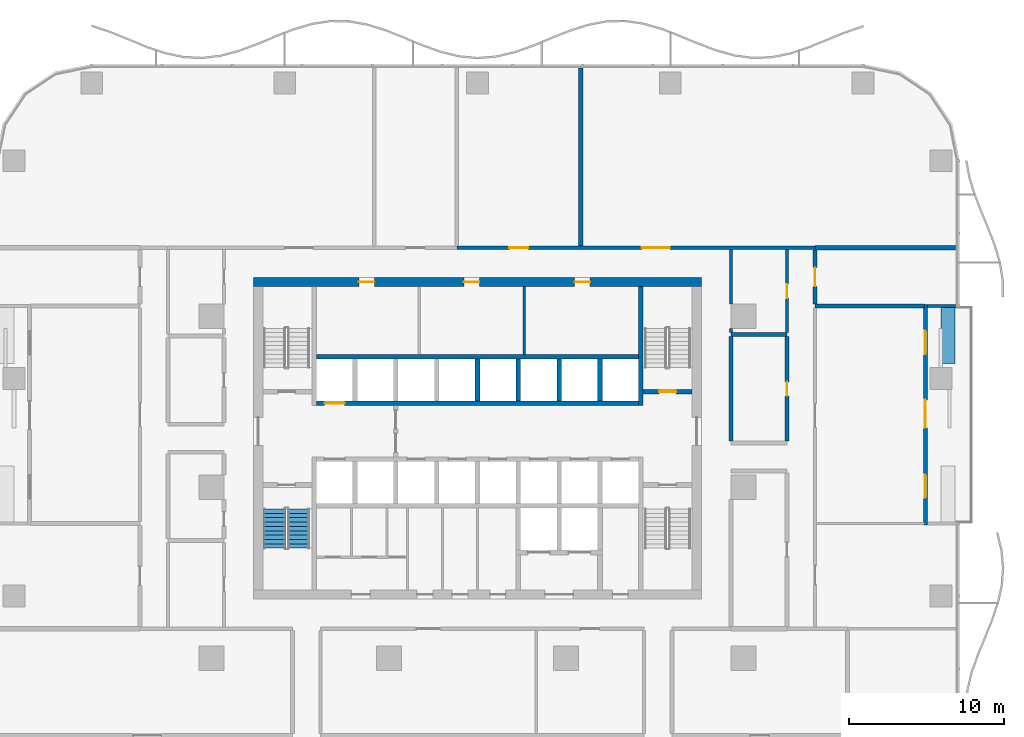
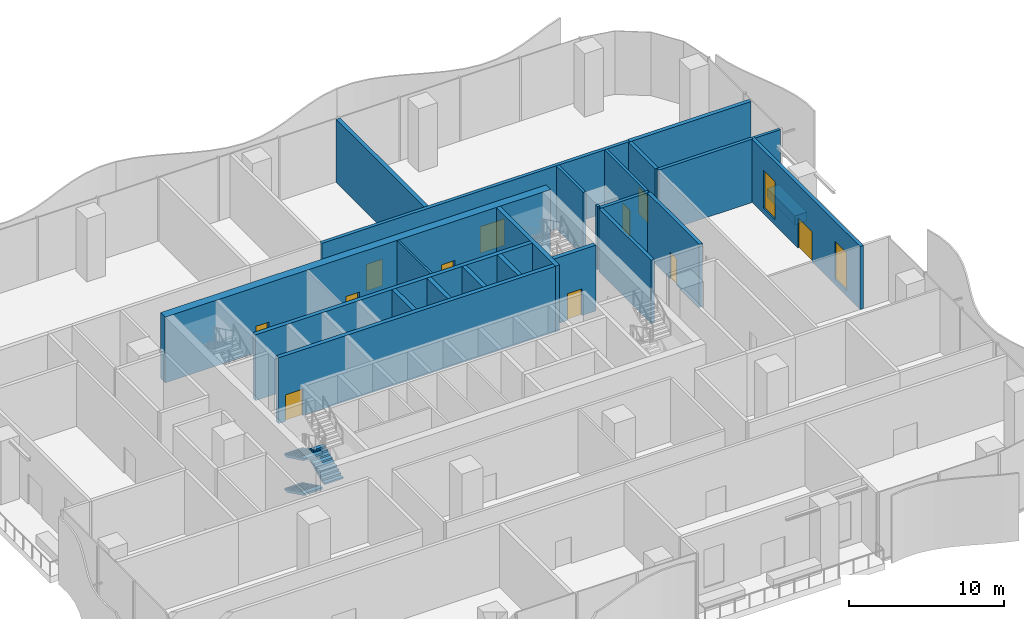
# One storey, part 11 of 21: 24 walls, 11 doors, 3 stair flights, 2 windows, 13 openings, 1 element without a shape of its own.
"""IFC4 building model written with IfcOpenShell, lengths in metres."""

from ifc_helpers import new_model, si_unit, direction, frame, frame_2d, origin, place, context, subcontext, project, spatial, polyline, rectangle, outline, extrude, material, layer, layer_set, type_object, element, fill, aggregate, save


model = new_model("IFC4")

# Units and contexts
model_context = context("Model", 3, precision=1e-05, world=origin(), true_north=direction((0.0, 1.0)))
body_context = subcontext(model_context, "Body", "Model", "MODEL_VIEW")
ifc_project = project(units=[si_unit("LENGTHUNIT", "METRE"), si_unit("AREAUNIT", "SQUARE_METRE"), si_unit("VOLUMEUNIT", "CUBIC_METRE"), si_unit("PLANEANGLEUNIT", "RADIAN"), si_unit("MASSUNIT", "GRAM", prefix="KILO")], contexts=[model_context])

# Site, building, storey
site_placement = place(None, origin())
site = spatial("IfcSite", under=ifc_project, at=site_placement, CompositionType="ELEMENT")
building_placement = place(site_placement, origin())
building = spatial("IfcBuilding", under=site, at=building_placement, Name="Mopane Tessera Tower", CompositionType="ELEMENT")
storey_placement = place(building_placement, frame((0.0, 0.0, 20.0)))
storey = spatial("IfcBuildingStorey", under=building, at=storey_placement, Name="L03", CompositionType="ELEMENT", Elevation=20.0)

# Wall
ifc_material_1 = material(Name="Fire-rated gypsum board partition")
ifc_layer_1 = layer(ifc_material_1, 0.14990234375)
ifc_layer_set_1 = layer_set([ifc_layer_1], Name="Fire-rated gypsum board partition")
wall_type_1 = type_object("IfcWallType", Name="Core room partition 150 mm", PredefinedType="PARTITIONING", material=ifc_layer_set_1)
wall_1_placement = place(storey_placement, frame((3.0, 8.550048828125, 0.0), z_axis=(0.0, 0.0, 1.0), x_axis=(0.0, 1.0, 0.0)))
element("IfcWall", 1, at=wall_1_placement, inside=storey, type_object=wall_type_1, Name="L03 Room partition", PredefinedType="PARTITIONING", context=body_context, shape_type="SweptSolid", body=[
    extrude(rectangle(XDim=4.349853515625, YDim=0.14990234375, at=frame_2d((2.1748046875, 0.0))), origin(), (0.0, 0.0, 1.0), 5.199951171875),
])

# Wall, openings, doors
ifc_material_2 = material(Name="Concrete C70/85", Category="concrete")
ifc_layer_2 = layer(ifc_material_2, 0.60009765625)
ifc_layer_set_2 = layer_set([ifc_layer_2], Name="Concrete C70/85")
wall_type_2 = type_object("IfcWallType", Name="Core shear wall 600 mm", PredefinedType="SHEAR", material=ifc_layer_set_2)
wall_2_placement = place(storey_placement, frame((-14.39990234375, 13.199951171875, 0.0), z_axis=(0.0, 0.0, 1.0), x_axis=(1.0, 0.0, 0.0)))
wall_2 = element("IfcWall", 2, at=wall_2_placement, inside=storey, type_object=wall_type_2, Name="L03 Core wall north", PredefinedType="SHEAR", context=body_context, shape_type="SweptSolid", body=[
    extrude(rectangle(XDim=28.7998046875, YDim=0.60009765625, at=frame_2d((14.39990234375, 0.0))), origin(), (0.0, 0.0, 1.0), 5.199951171875),
])
opening_1_placement = place(wall_2_placement, frame((6.77490234375, 0.0, 0.0)))
opening_1 = element("IfcOpeningElement", 3, at=opening_1_placement, cuts=wall_2, Name="Opening RD1", PredefinedType="OPENING", context=body_context, shape_type="SweptSolid", body=[
    extrude(rectangle(XDim=1.0, YDim=2.10009765625, at=frame_2d((0.5, 1.050048828125))), frame((0.0, 0.31201171875, 0.0), z_axis=(0.0, -1.0, 0.0), x_axis=(1.0, 0.0, 0.0)), (0.0, 0.0, 1.0), 0.6240234375),
])
opening_2_placement = place(wall_2_placement, frame((13.52490234375, 0.0, 0.0)))
opening_2 = element("IfcOpeningElement", 4, at=opening_2_placement, cuts=wall_2, Name="Opening RD1", PredefinedType="OPENING", context=body_context, shape_type="SweptSolid", body=[
    extrude(rectangle(XDim=1.0, YDim=2.10009765625, at=frame_2d((0.5, 1.050048828125))), frame((0.0, 0.31201171875, 0.0), z_axis=(0.0, -1.0, 0.0), x_axis=(1.0, 0.0, 0.0)), (0.0, 0.0, 1.0), 0.6240234375),
])
opening_3_placement = place(wall_2_placement, frame((20.64990234375, 0.0, 0.0)))
opening_3 = element("IfcOpeningElement", 5, at=opening_3_placement, cuts=wall_2, Name="Opening RD1", PredefinedType="OPENING", context=body_context, shape_type="SweptSolid", body=[
    extrude(rectangle(XDim=1.0, YDim=2.10009765625, at=frame_2d((0.5, 1.050048828125))), frame((0.0, 0.31201171875, 0.0), z_axis=(0.0, -1.0, 0.0), x_axis=(1.0, 0.0, 0.0)), (0.0, 0.0, 1.0), 0.6240234375),
])
ifc_material_3 = material(Name="Timber door", Category="wood")
door_type_1 = type_object("IfcDoorType", Name="Core room door 1000 x 2100", OperationType="SINGLE_SWING_LEFT", PredefinedType="DOOR", material=ifc_material_3)
door_1_placement = place(opening_1_placement, origin())
door_1 = element("IfcDoor", 6, at=door_1_placement, inside=storey, type_object=door_type_1, Name="L03 Room door", OperationType="SINGLE_SWING_LEFT", OverallHeight=2.10009765625, OverallWidth=1.0, PredefinedType="DOOR", context=body_context, shape_type="SweptSolid", body=[
    extrude(rectangle(XDim=1.0, YDim=2.10009765625, at=frame_2d((0.5, 1.050048828125))), frame((0.0, 0.02490234375, 0.0), z_axis=(0.0, -1.0, 0.0), x_axis=(1.0, 0.0, 0.0)), (0.0, 0.0, 1.0), 0.050048828125),
])
fill(opening_1, door_1)
door_2_placement = place(opening_2_placement, origin())
door_2 = element("IfcDoor", 7, at=door_2_placement, inside=storey, type_object=door_type_1, Name="L03 Room door", OperationType="SINGLE_SWING_LEFT", OverallHeight=2.10009765625, OverallWidth=1.0, PredefinedType="DOOR", context=body_context, shape_type="SweptSolid", body=[
    extrude(rectangle(XDim=1.0, YDim=2.10009765625, at=frame_2d((0.5, 1.050048828125))), frame((0.0, 0.02490234375, 0.0), z_axis=(0.0, -1.0, 0.0), x_axis=(1.0, 0.0, 0.0)), (0.0, 0.0, 1.0), 0.050048828125),
])
fill(opening_2, door_2)
door_3_placement = place(opening_3_placement, origin())
door_3 = element("IfcDoor", 8, at=door_3_placement, inside=storey, type_object=door_type_1, Name="L03 Room door", OperationType="SINGLE_SWING_LEFT", OverallHeight=2.10009765625, OverallWidth=1.0, PredefinedType="DOOR", context=body_context, shape_type="SweptSolid", body=[
    extrude(rectangle(XDim=1.0, YDim=2.10009765625, at=frame_2d((0.5, 1.050048828125))), frame((0.0, 0.02490234375, 0.0), z_axis=(0.0, -1.0, 0.0), x_axis=(1.0, 0.0, 0.0)), (0.0, 0.0, 1.0), 0.050048828125),
])
fill(opening_3, door_3)

# Walls
ifc_material_4 = material(Name="Concrete C60/75", Category="concrete")
ifc_layer_3 = layer(ifc_material_4, 0.300048828125)
ifc_layer_set_3 = layer_set([ifc_layer_3], Name="Concrete C60/75")
wall_type_3 = type_object("IfcWallType", Name="Core spine wall 300 mm", PredefinedType="SHEAR", material=ifc_layer_set_3)
wall_3_placement = place(storey_placement, frame((10.5, 5.25, 0.0), z_axis=(0.0, 0.0, 1.0), x_axis=(0.0, 1.0, 0.0)))
element("IfcWall", 9, at=wall_3_placement, inside=storey, type_object=wall_type_3, Name="L03 Core spine wall", PredefinedType="SHEAR", context=body_context, shape_type="SweptSolid", body=[
    extrude(rectangle(XDim=7.64990234375, YDim=0.300048828125, at=frame_2d((3.824951171875, 0.0))), origin(), (0.0, 0.0, 1.0), 5.199951171875),
])
ifc_material_5 = material(Name="Gypsum board on steel studs, two layers each face, mineral wool infill", Category="steel")
ifc_layer_4 = layer(ifc_material_5, 0.199951171875)
ifc_layer_set_4 = layer_set([ifc_layer_4], Name="Gypsum board on steel studs, two layers each face, mineral wool infill")
wall_type_4 = type_object("IfcWallType", Name="Gypsum board corridor wall 200, rated EI 60", PredefinedType="PARTITIONING", material=ifc_layer_set_4)
wall_4_placement = place(storey_placement, frame((16.300048828125, 9.93994140625, 0.0), z_axis=(0.0, 0.0, 1.0), x_axis=(0.0, 1.0, 0.0)))
element("IfcWall", 10, at=wall_4_placement, inside=storey, type_object=wall_type_4, Name="Partition L03:055", PredefinedType="PARTITIONING", context=body_context, shape_type="SweptSolid", body=[
    extrude(rectangle(XDim=0.260009765625, YDim=0.199951171875, at=frame_2d((0.1298828125, 0.0))), origin(), (0.0, 0.0, 1.0), 5.0),
])
wall_5_placement = place(storey_placement, frame((16.300048828125, 11.800048828125, 0.0), z_axis=(0.0, 0.0, 1.0), x_axis=(0.0, 1.0, 0.0)))
element("IfcWall", 11, at=wall_5_placement, inside=storey, type_object=wall_type_4, Name="Partition L03:056", PredefinedType="PARTITIONING", context=body_context, shape_type="SweptSolid", body=[
    extrude(rectangle(XDim=3.474853515625, YDim=0.199951171875, at=frame_2d((1.7373046875, 0.0))), origin(), (0.0, 0.0, 1.0), 5.0),
])

# Wall, opening, door
wall_6_placement = place(storey_placement, frame((19.89990234375, 9.93994140625, 0.0), z_axis=(0.0, 0.0, 1.0), x_axis=(0.0, 1.0, 0.0)))
wall_6 = element("IfcWall", 12, at=wall_6_placement, inside=storey, type_object=wall_type_4, Name="Partition L03:059", PredefinedType="PARTITIONING", context=body_context, shape_type="SweptSolid", body=[
    extrude(rectangle(XDim=5.3349609375, YDim=0.199951171875, at=frame_2d((2.66748046875, 0.0))), origin(), (0.0, 0.0, 1.0), 5.0),
])
opening_4_placement = place(wall_6_placement, frame((2.217529296875, 0.0, 0.0)))
opening_4 = element("IfcOpeningElement", 13, at=opening_4_placement, cuts=wall_6, Name="Opening L03-26", PredefinedType="OPENING", context=body_context, shape_type="SweptSolid", body=[
    extrude(rectangle(XDim=0.89990234375, YDim=2.10009765625, at=frame_2d((0.449951171875, 1.050048828125))), frame((0.0, 0.112060546875, 0.0), z_axis=(0.0, -1.0, 0.0), x_axis=(1.0, 0.0, 0.0)), (0.0, 0.0, 1.0), 0.223876953125),
])
ifc_material_6 = material(Name="Timber veneered steel-framed fire door", Category="steel")
door_type_2 = type_object("IfcDoorType", Name="Fire door FD60 900 x 2100", OperationType="SINGLE_SWING_LEFT", PredefinedType="DOOR", material=ifc_material_6)
door_4_placement = place(opening_4_placement, origin())
door_4 = element("IfcDoor", 14, at=door_4_placement, inside=storey, type_object=door_type_2, Name="Door L03-26", ObjectType="D10A", OperationType="SINGLE_SWING_LEFT", OverallHeight=2.10009765625, OverallWidth=0.89990234375, PredefinedType="DOOR", context=body_context, shape_type="SweptSolid", body=[
    extrude(rectangle(XDim=0.89990234375, YDim=2.10009765625, at=frame_2d((0.449951171875, 1.050048828125))), frame((0.0, 0.02490234375, 0.0), z_axis=(0.0, -1.0, 0.0), x_axis=(1.0, 0.0, 0.0)), (0.0, 0.0, 1.0), 0.050048828125),
])
fill(opening_4, door_4)

ifc_material_7 = material(Name="Concrete C50/60", Category="concrete")
ifc_layer_5 = layer(ifc_material_7, 0.300048828125)
ifc_layer_set_5 = layer_set([ifc_layer_5], Name="Concrete C50/60")
wall_type_5 = type_object("IfcWallType", Name="Lift and stair shaft wall 300 mm", PredefinedType="SOLIDWALL", material=ifc_layer_set_5)
wall_7_placement = place(storey_placement, frame((10.64990234375, 6.14990234375, 0.0), z_axis=(0.0, 0.0, 1.0), x_axis=(1.0, 0.0, 0.0)))
wall_7 = element("IfcWall", 15, at=wall_7_placement, inside=storey, type_object=wall_type_5, Name="L03 Stair enclosure wall", PredefinedType="SOLIDWALL", context=body_context, shape_type="SweptSolid", body=[
    extrude(rectangle(XDim=3.150146484375, YDim=0.300048828125, at=frame_2d((1.5751953125, 0.0))), origin(), (0.0, 0.0, 1.0), 5.199951171875),
])
opening_5_placement = place(wall_7_placement, frame((1.02490234375, 0.0, 0.0)))
opening_5 = element("IfcOpeningElement", 16, at=opening_5_placement, cuts=wall_7, Name="Opening SD1", PredefinedType="OPENING", context=body_context, shape_type="SweptSolid", body=[
    extrude(rectangle(XDim=1.10009765625, YDim=2.10009765625, at=frame_2d((0.550048828125, 1.050048828125))), frame((0.0, 0.162109375, 0.0), z_axis=(0.0, -1.0, 0.0), x_axis=(1.0, 0.0, 0.0)), (0.0, 0.0, 1.0), 0.323974609375),
])
ifc_material_8 = material(Name="Steel fire door", Category="steel")
door_type_3 = type_object("IfcDoorType", Name="Stair fire door 1100 x 2100", OperationType="SINGLE_SWING_LEFT", PredefinedType="DOOR", material=ifc_material_8)
door_5_placement = place(opening_5_placement, origin())
door_5 = element("IfcDoor", 17, at=door_5_placement, inside=storey, type_object=door_type_3, Name="L03 Stair door ST4", OperationType="SINGLE_SWING_RIGHT", OverallHeight=2.10009765625, OverallWidth=1.10009765625, PredefinedType="DOOR", context=body_context, shape_type="SweptSolid", body=[
    extrude(rectangle(XDim=1.10009765625, YDim=2.10009765625, at=frame_2d((0.550048828125, 1.050048828125))), frame((0.0, 0.02490234375, 0.0), z_axis=(0.0, -1.0, 0.0), x_axis=(1.0, 0.0, 0.0)), (0.0, 0.0, 1.0), 0.050048828125),
])
fill(opening_5, door_5)

wall_8_placement = place(storey_placement, frame((-10.35009765625, 5.39990234375, 0.0), z_axis=(0.0, 0.0, 1.0), x_axis=(1.0, 0.0, 0.0)))
wall_8 = element("IfcWall", 18, at=wall_8_placement, inside=storey, type_object=wall_type_5, Name="L03 Lift shaft front wall", PredefinedType="SOLIDWALL", context=body_context, shape_type="SweptSolid", body=[
    extrude(rectangle(XDim=20.7001953125, YDim=0.300048828125, at=frame_2d((10.35009765625, 0.0))), origin(), (0.0, 0.0, 1.0), 5.199951171875),
])
opening_6_placement = place(wall_8_placement, frame((0.512451171875, 0.0, 0.0)))
opening_6 = element("IfcOpeningElement", 19, at=opening_6_placement, cuts=wall_8, Name="Opening LD2", PredefinedType="OPENING", context=body_context, shape_type="SweptSolid", body=[
    extrude(rectangle(XDim=1.300048828125, YDim=2.10009765625, at=frame_2d((0.64990234375, 1.050048828125))), frame((0.0, 0.162109375, 0.0), z_axis=(0.0, -1.0, 0.0), x_axis=(1.0, 0.0, 0.0)), (0.0, 0.0, 1.0), 0.323974609375),
])
ifc_material_9 = material(Name="Stainless steel sliding door", Category="steel")
door_type_4 = type_object("IfcDoorType", Name="Fire-fighting lift landing door 1300 x 2100", OperationType="DOUBLE_DOOR_SLIDING", PredefinedType="DOOR", material=ifc_material_9)
door_6_placement = place(opening_6_placement, origin())
door_6 = element("IfcDoor", 20, at=door_6_placement, inside=storey, type_object=door_type_4, Name="L03 Lift landing door FF2", OperationType="DOUBLE_DOOR_SLIDING", OverallHeight=2.10009765625, OverallWidth=1.300048828125, PredefinedType="DOOR", context=body_context, shape_type="SweptSolid", body=[
    extrude(rectangle(XDim=1.300048828125, YDim=2.10009765625, at=frame_2d((0.64990234375, 1.050048828125))), frame((0.0, 0.02490234375, 0.0), z_axis=(0.0, -1.0, 0.0), x_axis=(1.0, 0.0, 0.0)), (0.0, 0.0, 1.0), 0.050048828125),
])
fill(opening_6, door_6)

# Walls
wall_9_placement = place(storey_placement, frame((-10.35009765625, 8.39990234375, 0.0), z_axis=(0.0, 0.0, 1.0), x_axis=(1.0, 0.0, 0.0)))
element("IfcWall", 21, at=wall_9_placement, inside=storey, type_object=wall_type_5, Name="L03 Lift shaft rear wall", PredefinedType="SOLIDWALL", context=body_context, shape_type="SweptSolid", body=[
    extrude(rectangle(XDim=20.7001953125, YDim=0.300048828125, at=frame_2d((10.35009765625, 0.0))), origin(), (0.0, 0.0, 1.0), 5.199951171875),
])
for number, where, z_axis, x_axis, name in (
    (22, (0.0, 5.550048828125, 0.0), (0.0, 0.0, 1.0), (0.0, 1.0, 0.0), "L03 Lift shaft wall"),
    (23, (2.625, 5.550048828125, 0.0), (0.0, 0.0, 1.0), (0.0, 1.0, 0.0), "L03 Lift shaft wall"),
    (24, (5.25, 5.550048828125, 0.0), (0.0, 0.0, 1.0), (0.0, 1.0, 0.0), "L03 Lift shaft wall"),
    (25, (7.875, 5.550048828125, 0.0), (0.0, 0.0, 1.0), (0.0, 1.0, 0.0), "L03 Lift shaft wall"),
):
    element("IfcWall", number, at=place(storey_placement, frame(where, z_axis=z_axis, x_axis=x_axis)), inside=storey, type_object=wall_type_5, Name=name, PredefinedType="SOLIDWALL", context=body_context, shape_type="SweptSolid", body=[
        extrude(rectangle(XDim=2.699951171875, YDim=0.300048828125, at=frame_2d((1.35009765625, 0.0))), origin(), (0.0, 0.0, 1.0), 5.199951171875),
    ])
ifc_material_10 = material(Name="Reinforced concrete C32/40 with waterproofing", Category="concrete")
ifc_layer_6 = layer(ifc_material_10, 0.89990234375)
ifc_layer_set_6 = layer_set([ifc_layer_6], Name="Reinforced concrete C32/40 with waterproofing")
wall_type_6 = type_object("IfcWallType", Name="Planter trough 3600 x 900", PredefinedType="STANDARD", material=ifc_layer_set_6)
wall_10_placement = place(storey_placement, frame((30.25, 7.966552734375, 0.0), z_axis=(0.0, 0.0, 1.0), x_axis=(0.0, 1.0, 0.0)))
element("IfcWall", 26, at=wall_10_placement, inside=storey, type_object=wall_type_6, Name="e:nw:L03:N2:pl1", PredefinedType="STANDARD", context=body_context, shape_type="SweptSolid", body=[
    extrude(rectangle(XDim=3.60009765625, YDim=0.89990234375, at=frame_2d((1.800048828125, 0.0))), origin(), (0.0, 0.0, 1.0), 0.699951171875),
])
ifc_material_11 = material(Name="Plastered concrete blockwork C20/25", Category="masonry")
ifc_layer_7 = layer(ifc_material_11, 0.300048828125)
ifc_layer_set_7 = layer_set([ifc_layer_7], Name="Plastered concrete blockwork C20/25")
wall_type_7 = type_object("IfcWallType", Name="Plastered blockwork separation wall 300, rated EI 120", PredefinedType="PARTITIONING", material=ifc_layer_set_7)
wall_11_placement = place(storey_placement, frame((21.699951171875, 15.39990234375, 0.0), z_axis=(0.0, 0.0, 1.0), x_axis=(1.0, 0.0, 0.0)))
element("IfcWall", 27, at=wall_11_placement, inside=storey, type_object=wall_type_7, Name="Partition L03:030", PredefinedType="PARTITIONING", context=body_context, shape_type="SweptSolid", body=[
    extrude(rectangle(XDim=9.050048828125, YDim=0.300048828125, at=frame_2d((4.52490234375, 0.0))), origin(), (0.0, 0.0, 1.0), 5.0),
])
wall_12_placement = place(storey_placement, frame((6.639892578125, 15.52490234375, 0.0), z_axis=(0.0, 0.0, 1.0), x_axis=(0.0, 1.0, 0.0)))
element("IfcWall", 28, at=wall_12_placement, inside=storey, type_object=wall_type_7, Name="Partition L03:051", PredefinedType="PARTITIONING", context=body_context, shape_type="SweptSolid", body=[
    extrude(rectangle(XDim=11.425048828125, YDim=0.300048828125, at=frame_2d((5.71240234375, 0.0))), origin(), (0.0, 0.0, 1.0), 5.0),
])
ifc_material_12 = material(Name="Plastered concrete blockwork C20/25", Category="masonry")
ifc_layer_8 = layer(ifc_material_12, 0.25)
ifc_layer_set_8 = layer_set([ifc_layer_8], Name="Plastered concrete blockwork C20/25")
wall_type_8 = type_object("IfcWallType", Name="Plastered blockwork wall 250, rated EI 120", PredefinedType="PARTITIONING", material=ifc_layer_set_8)
wall_13_placement = place(storey_placement, frame((16.300048828125, 9.81494140625, 0.0), z_axis=(0.0, 0.0, 1.0), x_axis=(1.0, 0.0, 0.0)))
element("IfcWall", 29, at=wall_13_placement, inside=storey, type_object=wall_type_8, Name="Partition L03:022", PredefinedType="PARTITIONING", context=body_context, shape_type="SweptSolid", body=[
    extrude(rectangle(XDim=3.599853515625, YDim=0.25, at=frame_2d((1.7998046875, 0.0))), origin(), (0.0, 0.0, 1.0), 5.0),
])
wall_14_placement = place(storey_placement, frame((21.699951171875, 11.6650390625, 0.0), z_axis=(0.0, 0.0, 1.0), x_axis=(1.0, 0.0, 0.0)))
element("IfcWall", 30, at=wall_14_placement, inside=storey, type_object=wall_type_8, Name="Partition L03:024", PredefinedType="PARTITIONING", context=body_context, shape_type="SweptSolid", body=[
    extrude(rectangle(XDim=7.050048828125, YDim=0.25, at=frame_2d((3.52490234375, 0.0))), origin(), (0.0, 0.0, 1.0), 5.0),
])

# Wall, openings, doors
wall_15_placement = place(storey_placement, frame((-1.330078125, 15.39990234375, 0.0), z_axis=(0.0, 0.0, 1.0), x_axis=(1.0, 0.0, 0.0)))
wall_15 = element("IfcWall", 31, at=wall_15_placement, inside=storey, type_object=wall_type_8, Name="Partition L03:028", PredefinedType="PARTITIONING", context=body_context, shape_type="SweptSolid", body=[
    extrude(rectangle(XDim=23.030029296875, YDim=0.25, at=frame_2d((11.51513671875, 0.0))), origin(), (0.0, 0.0, 1.0), 5.0),
])
opening_7_placement = place(wall_15_placement, frame((3.385009765625, 0.0, 0.0)))
opening_7 = element("IfcOpeningElement", 32, at=opening_7_placement, cuts=wall_15, Name="Opening L03-11", PredefinedType="OPENING", context=body_context, shape_type="SweptSolid", body=[
    extrude(rectangle(XDim=1.199951171875, YDim=2.10009765625, at=frame_2d((0.60009765625, 1.050048828125))), frame((0.0, 0.136962890625, 0.0), z_axis=(0.0, -1.0, 0.0), x_axis=(1.0, 0.0, 0.0)), (0.0, 0.0, 1.0), 0.27392578125),
])
opening_8_placement = place(wall_15_placement, frame((11.89990234375, 0.0, 0.0)))
opening_8 = element("IfcOpeningElement", 33, at=opening_8_placement, cuts=wall_15, Name="Opening L03-16", PredefinedType="OPENING", context=body_context, shape_type="SweptSolid", body=[
    extrude(rectangle(XDim=1.800048828125, YDim=2.10009765625, at=frame_2d((0.89990234375, 1.050048828125))), frame((0.0, 0.136962890625, 0.0), z_axis=(0.0, -1.0, 0.0), x_axis=(1.0, 0.0, 0.0)), (0.0, 0.0, 1.0), 0.27392578125),
])
ifc_material_13 = material(Name="Timber veneered steel-framed fire door", Category="steel")
door_type_5 = type_object("IfcDoorType", Name="Fire door FD120 1200 x 2100", OperationType="SINGLE_SWING_LEFT", PredefinedType="DOOR", material=ifc_material_13)
door_7_placement = place(opening_7_placement, origin())
door_7 = element("IfcDoor", 34, at=door_7_placement, inside=storey, type_object=door_type_5, Name="Door L03-11", ObjectType="D15B", OperationType="SINGLE_SWING_LEFT", OverallHeight=2.10009765625, OverallWidth=1.199951171875, PredefinedType="DOOR", context=body_context, shape_type="SweptSolid", body=[
    extrude(rectangle(XDim=1.199951171875, YDim=2.10009765625, at=frame_2d((0.60009765625, 1.050048828125))), frame((0.0, 0.02490234375, 0.0), z_axis=(0.0, -1.0, 0.0), x_axis=(1.0, 0.0, 0.0)), (0.0, 0.0, 1.0), 0.050048828125),
])
fill(opening_7, door_7)
ifc_material_14 = material(Name="Timber veneered steel-framed fire door", Category="steel")
door_type_6 = type_object("IfcDoorType", Name="Fire door pair FD120 1800 x 2100", OperationType="DOUBLE_DOOR_SINGLE_SWING", PredefinedType="DOOR", material=ifc_material_14)
door_8_placement = place(opening_8_placement, origin())
door_8 = element("IfcDoor", 35, at=door_8_placement, inside=storey, type_object=door_type_6, Name="Door L03-16", ObjectType="D20B", OperationType="DOUBLE_DOOR_SINGLE_SWING", OverallHeight=2.10009765625, OverallWidth=1.800048828125, PredefinedType="DOOR", context=body_context, shape_type="SweptSolid", body=[
    extrude(rectangle(XDim=1.800048828125, YDim=2.10009765625, at=frame_2d((0.89990234375, 1.050048828125))), frame((0.0, 0.02490234375, 0.0), z_axis=(0.0, -1.0, 0.0), x_axis=(1.0, 0.0, 0.0)), (0.0, 0.0, 1.0), 0.050048828125),
])
fill(opening_8, door_8)

# Wall
wall_16_placement = place(storey_placement, frame((16.300048828125, 2.97509765625, 0.0), z_axis=(0.0, 0.0, 1.0), x_axis=(0.0, 1.0, 0.0)))
element("IfcWall", 36, at=wall_16_placement, inside=storey, type_object=wall_type_8, Name="Partition L03:058", PredefinedType="PARTITIONING", context=body_context, shape_type="SweptSolid", body=[
    extrude(rectangle(XDim=6.71484375, YDim=0.25, at=frame_2d((3.357421875, 0.0))), origin(), (0.0, 0.0, 1.0), 5.0),
])

# Wall, opening, door
wall_17_placement = place(storey_placement, frame((19.89990234375, 2.97509765625, 0.0), z_axis=(0.0, 0.0, 1.0), x_axis=(0.0, 1.0, 0.0)))
wall_17 = element("IfcWall", 37, at=wall_17_placement, inside=storey, type_object=wall_type_8, Name="Partition L03:061", PredefinedType="PARTITIONING", context=body_context, shape_type="SweptSolid", body=[
    extrude(rectangle(XDim=6.71484375, YDim=0.25, at=frame_2d((3.357421875, 0.0))), origin(), (0.0, 0.0, 1.0), 5.0),
])
opening_9_placement = place(wall_17_placement, frame((2.907470703125, 0.0, 0.0)))
opening_9 = element("IfcOpeningElement", 38, at=opening_9_placement, cuts=wall_17, Name="Opening L03-02", PredefinedType="OPENING", context=body_context, shape_type="SweptSolid", body=[
    extrude(rectangle(XDim=0.89990234375, YDim=2.10009765625, at=frame_2d((0.449951171875, 1.050048828125))), frame((0.0, 0.136962890625, 0.0), z_axis=(0.0, -1.0, 0.0), x_axis=(1.0, 0.0, 0.0)), (0.0, 0.0, 1.0), 0.27392578125),
])
ifc_material_15 = material(Name="Timber veneered steel-framed fire door", Category="steel")
door_type_7 = type_object("IfcDoorType", Name="Fire door FD120 900 x 2100", OperationType="SINGLE_SWING_LEFT", PredefinedType="DOOR", material=ifc_material_15)
door_9_placement = place(opening_9_placement, origin())
door_9 = element("IfcDoor", 39, at=door_9_placement, inside=storey, type_object=door_type_7, Name="Door L03-02", ObjectType="D10B", OperationType="SINGLE_SWING_RIGHT", OverallHeight=2.10009765625, OverallWidth=0.89990234375, PredefinedType="DOOR", context=body_context, shape_type="SweptSolid", body=[
    extrude(rectangle(XDim=0.89990234375, YDim=2.10009765625, at=frame_2d((0.449951171875, 1.050048828125))), frame((0.0, 0.02490234375, 0.0), z_axis=(0.0, -1.0, 0.0), x_axis=(1.0, 0.0, 0.0)), (0.0, 0.0, 1.0), 0.050048828125),
])
fill(opening_9, door_9)

wall_18_placement = place(storey_placement, frame((21.699951171875, 11.7900390625, 0.0), z_axis=(0.0, 0.0, 1.0), x_axis=(0.0, 1.0, 0.0)))
wall_18 = element("IfcWall", 40, at=wall_18_placement, inside=storey, type_object=wall_type_8, Name="Partition L03:063", PredefinedType="PARTITIONING", context=body_context, shape_type="SweptSolid", body=[
    extrude(rectangle(XDim=3.4599609375, YDim=0.25, at=frame_2d((1.72998046875, 0.0))), origin(), (0.0, 0.0, 1.0), 5.0),
])
opening_10_placement = place(wall_18_placement, frame((1.1298828125, 0.0, 0.0)))
opening_10 = element("IfcOpeningElement", 41, at=opening_10_placement, cuts=wall_18, Name="Opening L03-08", PredefinedType="OPENING", context=body_context, shape_type="SweptSolid", body=[
    extrude(rectangle(XDim=1.199951171875, YDim=2.10009765625, at=frame_2d((0.60009765625, 1.050048828125))), frame((0.0, 0.136962890625, 0.0), z_axis=(0.0, -1.0, 0.0), x_axis=(1.0, 0.0, 0.0)), (0.0, 0.0, 1.0), 0.27392578125),
])
door_10_placement = place(opening_10_placement, origin())
door_10 = element("IfcDoor", 42, at=door_10_placement, inside=storey, type_object=door_type_5, Name="Door L03-08", ObjectType="D15B", OperationType="SINGLE_SWING_LEFT", OverallHeight=2.10009765625, OverallWidth=1.199951171875, PredefinedType="DOOR", context=body_context, shape_type="SweptSolid", body=[
    extrude(rectangle(XDim=1.199951171875, YDim=2.10009765625, at=frame_2d((0.60009765625, 1.050048828125))), frame((0.0, 0.02490234375, 0.0), z_axis=(0.0, -1.0, 0.0), x_axis=(1.0, 0.0, 0.0)), (0.0, 0.0, 1.0), 0.050048828125),
])
fill(opening_10, door_10)

# Wall
ifc_material_16 = material(Name="Blockwork with glazed tile facing", Category="masonry")
ifc_layer_9 = layer(ifc_material_16, 0.199951171875)
ifc_layer_set_9 = layer_set([ifc_layer_9], Name="Blockwork with glazed tile facing")
wall_type_9 = type_object("IfcWallType", Name="Terrace cheek wall 200", PredefinedType="STANDARD", material=ifc_layer_set_9)
wall_19_placement = place(storey_placement, frame((30.800048828125, 11.666748046875, 0.0), z_axis=(0.0, 0.0, 1.0), x_axis=(-1.0, 0.0, 0.0)))
element("IfcWall", 43, at=wall_19_placement, inside=storey, type_object=wall_type_9, Name="e:nw:L03:N2:cheekb", PredefinedType="STANDARD", context=body_context, shape_type="SweptSolid", body=[
    extrude(rectangle(XDim=1.875, YDim=0.199951171875, at=frame_2d((0.9375, 0.0))), origin(), (0.0, 0.0, 1.0), 5.0),
])

# Wall, openings, windows, door
ifc_material_17 = material(Name="Blockwork with turquoise glazed tile facing", Category="masonry")
ifc_layer_10 = layer(ifc_material_17, 0.25)
ifc_layer_set_10 = layer_set([ifc_layer_10], Name="Blockwork with turquoise glazed tile facing")
wall_type_10 = type_object("IfcWallType", Name="Tile-clad external wall 250, turquoise", PredefinedType="STANDARD", material=ifc_layer_set_10)
wall_20_placement = place(storey_placement, frame((28.800048828125, -2.433349609375, 0.0), z_axis=(0.0, 0.0, 1.0), x_axis=(0.0, 1.0, 0.0)))
wall_20 = element("IfcWall", 44, at=wall_20_placement, inside=storey, type_object=wall_type_10, Name="e:nw:L03:N2:back", PredefinedType="STANDARD", context=body_context, shape_type="SweptSolid", body=[
    extrude(rectangle(XDim=14.199951171875, YDim=0.25, at=frame_2d((7.10009765625, 0.0))), origin(), (0.0, 0.0, 1.0), 5.0),
])
opening_11_placement = place(wall_20_placement, frame((1.75, 0.0, 0.449951171875)))
opening_11 = element("IfcOpeningElement", 45, at=opening_11_placement, cuts=wall_20, Name="Opening NW032A", PredefinedType="OPENING", context=body_context, shape_type="SweptSolid", body=[
    extrude(rectangle(XDim=1.5, YDim=3.0, at=frame_2d((0.75, 1.5))), frame((0.0, 0.136962890625, 0.0), z_axis=(0.0, -1.0, 0.0), x_axis=(1.0, 0.0, 0.0)), (0.0, 0.0, 1.0), 0.27392578125),
])
opening_12_placement = place(wall_20_placement, frame((6.25, 0.0, 0.0)))
opening_12 = element("IfcOpeningElement", 46, at=opening_12_placement, cuts=wall_20, Name="Opening ND032", PredefinedType="OPENING", context=body_context, shape_type="SweptSolid", body=[
    extrude(rectangle(XDim=1.800048828125, YDim=2.39990234375, at=frame_2d((0.89990234375, 1.199951171875))), frame((0.0, 0.136962890625, 0.0), z_axis=(0.0, -1.0, 0.0), x_axis=(1.0, 0.0, 0.0)), (0.0, 0.0, 1.0), 0.27392578125),
])
opening_13_placement = place(wall_20_placement, frame((11.0, 0.0, 0.449951171875)))
opening_13 = element("IfcOpeningElement", 47, at=opening_13_placement, cuts=wall_20, Name="Opening NW032B", PredefinedType="OPENING", context=body_context, shape_type="SweptSolid", body=[
    extrude(rectangle(XDim=1.5, YDim=3.0, at=frame_2d((0.75, 1.5))), frame((0.0, 0.136962890625, 0.0), z_axis=(0.0, -1.0, 0.0), x_axis=(1.0, 0.0, 0.0)), (0.0, 0.0, 1.0), 0.27392578125),
])
ifc_material_18 = material(Name="Clear laminated glass", Category="glass")
window_type = type_object("IfcWindowType", Name="Fixed window 1500 x 3000", PartitioningType="SINGLE_PANEL", PredefinedType="WINDOW", material=ifc_material_18)
window_1_placement = place(opening_11_placement, origin())
window_1 = element("IfcWindow", 48, at=window_1_placement, inside=storey, type_object=window_type, Name="e:nw:L03:N2:win0", OverallHeight=3.0, OverallWidth=1.5, PartitioningType="SINGLE_PANEL", PredefinedType="WINDOW", context=body_context, shape_type="SweptSolid", body=[
    extrude(rectangle(XDim=1.5, YDim=3.0, at=frame_2d((0.75, 1.5))), frame((0.0, 0.030029296875, 0.0), z_axis=(0.0, -1.0, 0.0), x_axis=(1.0, 0.0, 0.0)), (0.0, 0.0, 1.0), 0.06005859375),
])
fill(opening_11, window_1)
window_2_placement = place(opening_13_placement, origin())
window_2 = element("IfcWindow", 49, at=window_2_placement, inside=storey, type_object=window_type, Name="e:nw:L03:N2:win2", OverallHeight=3.0, OverallWidth=1.5, PartitioningType="SINGLE_PANEL", PredefinedType="WINDOW", context=body_context, shape_type="SweptSolid", body=[
    extrude(rectangle(XDim=1.5, YDim=3.0, at=frame_2d((0.75, 1.5))), frame((0.0, 0.030029296875, 0.0), z_axis=(0.0, -1.0, 0.0), x_axis=(1.0, 0.0, 0.0)), (0.0, 0.0, 1.0), 0.06005859375),
])
fill(opening_13, window_2)
ifc_material_19 = material(Name="Aluminium and clear glass", Category="aluminium")
door_type_8 = type_object("IfcDoorType", Name="Terrace double door 1800 x 2400", OperationType="DOUBLE_DOOR_SINGLE_SWING", PredefinedType="DOOR", material=ifc_material_19)
door_11_placement = place(opening_12_placement, origin())
door_11 = element("IfcDoor", 50, at=door_11_placement, inside=storey, type_object=door_type_8, Name="e:nw:L03:N2:door", ObjectType="D1", OperationType="DOUBLE_DOOR_SINGLE_SWING", OverallHeight=2.39990234375, OverallWidth=1.800048828125, PredefinedType="DOOR", context=body_context, shape_type="SweptSolid", body=[
    extrude(rectangle(XDim=1.800048828125, YDim=2.39990234375, at=frame_2d((0.89990234375, 1.199951171875))), frame((0.0, 0.02490234375, 0.0), z_axis=(0.0, -1.0, 0.0), x_axis=(1.0, 0.0, 0.0)), (0.0, 0.0, 1.0), 0.050048828125),
])
fill(opening_12, door_11)

# Stair, stair flights
ifc_material_20 = material(Name="Concrete C50/60", Category="concrete")
stair_type = type_object("IfcStairType", Name="Escape stair 1400 mm, riser 138 mm", PredefinedType="HALF_TURN_STAIR", material=ifc_material_20)
stair_placement = place(storey_placement, origin())
stair = element("IfcStair", 51, at=stair_placement, inside=storey, type_object=stair_type, Name="L03 Escape stair south-west", PredefinedType="HALF_TURN_STAIR")
ifc_material_21 = material(Name="Concrete C50/60", Category="concrete")
stair_flight_type = type_object("IfcStairFlightType", Name="Escape stair flight 1400 mm", PredefinedType="STRAIGHT", material=ifc_material_21)
stair_flight_1_placement = place(storey_placement, frame((-13.050048828125, -1.39990234375, 0.0), z_axis=(0.0, 0.0, 1.0), x_axis=(0.0, -1.0, 0.0)))
stair_flight_1 = element("IfcStairFlight", 52, at=stair_flight_1_placement, type_object=stair_flight_type, Name="ST1 flight 1", NumberOfRisers=10, NumberOfTreads=9, PredefinedType="STRAIGHT", RiserHeight=0.1375, TreadLength=0.28, context=body_context, shape_type="SweptSolid", body=[
    extrude(outline(polyline([(0.0, 0.0), (0.0, 0.137451171875), (0.280029296875, 0.137451171875), (0.280029296875, 0.27490234375), (0.56005859375, 0.27490234375), (0.56005859375, 0.41259765625), (0.840087890625, 0.41259765625), (0.840087890625, 0.550048828125), (1.1201171875, 0.550048828125), (1.1201171875, 0.6875), (1.39990234375, 0.6875), (1.39990234375, 0.824951171875), (1.679931640625, 0.824951171875), (1.679931640625, 0.96240234375), (1.9599609375, 0.96240234375), (1.9599609375, 1.10009765625), (2.239990234375, 1.10009765625), (2.239990234375, 1.237548828125), (2.52001953125, 1.237548828125), (2.52001953125, 1.375), (2.52001953125, 1.070556640625), (0.340087890625, 0.0), (0.0, 0.0)])), frame((0.0, 0.699951171875, 0.0), z_axis=(0.0, -1.0, 0.0), x_axis=(1.0, 0.0, 0.0)), (0.0, 0.0, 1.0), 1.39990234375),
])
stair_flight_2_placement = place(storey_placement, frame((-11.5, -3.919921875, 1.375), z_axis=(0.0, 0.0, 1.0), x_axis=(0.0, 1.0, 0.0)))
stair_flight_2 = element("IfcStairFlight", 53, at=stair_flight_2_placement, type_object=stair_flight_type, Name="ST1 flight 2", NumberOfRisers=10, NumberOfTreads=9, PredefinedType="STRAIGHT", RiserHeight=0.1375, TreadLength=0.28, context=body_context, shape_type="SweptSolid", body=[
    extrude(outline(polyline([(0.0, 0.0), (0.0, 0.137451171875), (0.280029296875, 0.137451171875), (0.280029296875, 0.27490234375), (0.56005859375, 0.27490234375), (0.56005859375, 0.41259765625), (0.840087890625, 0.41259765625), (0.840087890625, 0.550048828125), (1.1201171875, 0.550048828125), (1.1201171875, 0.6875), (1.39990234375, 0.6875), (1.39990234375, 0.824951171875), (1.679931640625, 0.824951171875), (1.679931640625, 0.96240234375), (1.9599609375, 0.96240234375), (1.9599609375, 1.10009765625), (2.239990234375, 1.10009765625), (2.239990234375, 1.237548828125), (2.52001953125, 1.237548828125), (2.52001953125, 1.375), (2.52001953125, 1.070556640625), (0.340087890625, 0.0), (0.0, 0.0)])), frame((0.0, 0.699951171875, 0.0), z_axis=(0.0, -1.0, 0.0), x_axis=(1.0, 0.0, 0.0)), (0.0, 0.0, 1.0), 1.39990234375),
])
stair_flight_3_placement = place(storey_placement, frame((-13.050048828125, -1.39990234375, 2.75), z_axis=(0.0, 0.0, 1.0), x_axis=(0.0, -1.0, 0.0)))
stair_flight_3 = element("IfcStairFlight", 54, at=stair_flight_3_placement, type_object=stair_flight_type, Name="ST1 flight 3", NumberOfRisers=10, NumberOfTreads=9, PredefinedType="STRAIGHT", RiserHeight=0.1375, TreadLength=0.28, context=body_context, shape_type="SweptSolid", body=[
    extrude(outline(polyline([(0.0, 0.0), (0.0, 0.137451171875), (0.280029296875, 0.137451171875), (0.280029296875, 0.27490234375), (0.56005859375, 0.27490234375), (0.56005859375, 0.41259765625), (0.840087890625, 0.41259765625), (0.840087890625, 0.550048828125), (1.1201171875, 0.550048828125), (1.1201171875, 0.6875), (1.39990234375, 0.6875), (1.39990234375, 0.824951171875), (1.679931640625, 0.824951171875), (1.679931640625, 0.96240234375), (1.9599609375, 0.96240234375), (1.9599609375, 1.10009765625), (2.239990234375, 1.10009765625), (2.239990234375, 1.237548828125), (2.52001953125, 1.237548828125), (2.52001953125, 1.375), (2.52001953125, 1.070556640625), (0.340087890625, 0.0), (0.0, 0.0)])), frame((0.0, 0.699951171875, 0.0), z_axis=(0.0, -1.0, 0.0), x_axis=(1.0, 0.0, 0.0)), (0.0, 0.0, 1.0), 1.39990234375),
])
aggregate(stair, [stair_flight_1, stair_flight_2, stair_flight_3])

save(model, "model.ifc")
